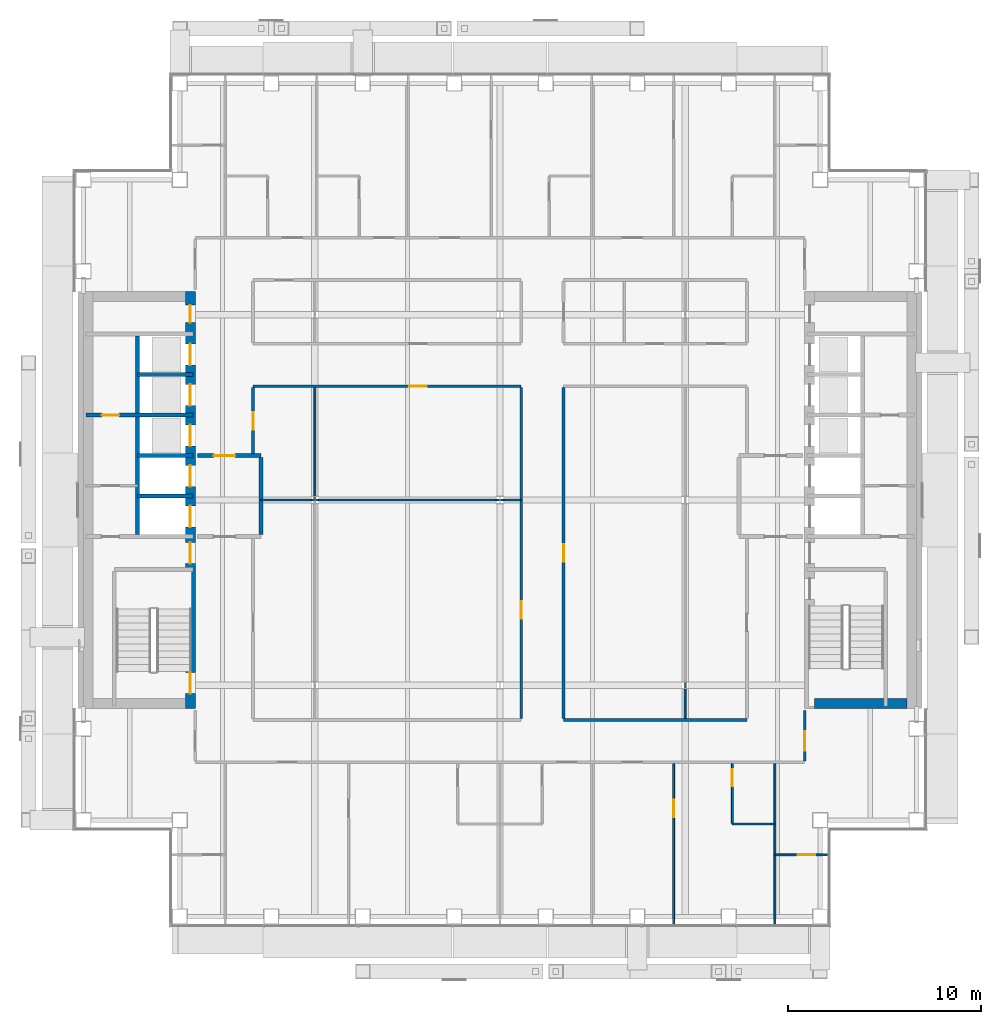
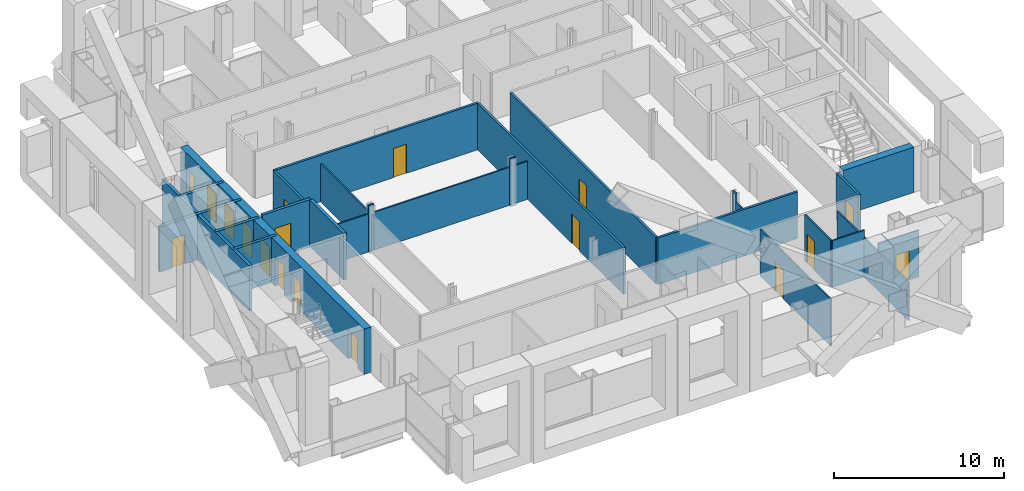
# One storey, part 13 of 22: 29 walls, 18 doors, 18 openings.
"""IFC4 building model written with IfcOpenShell, lengths in metres."""

import ifcopenshell
import ifcopenshell.guid

model = None  # the IFC model being written
_history = None  # IfcOwnerHistory: only IFC2X3 demands one
_inside = {}  # id of a spatial element -> (the spatial element, [elements in it])
_under = {}  # id of a project, library or spatial element -> (it, [spatial elements below it])
_declared = {}  # id of a project -> (the project, [libraries it declares])
_typed = {}  # id of a type object -> (the type object, [elements of that type])
_made_of = {}  # id of a material, layer set ... -> (it, [elements and type objects made of it])


def new_model(schema):
    """Start an empty IFC model of exactly this schema.

    Asked for "IFC4X3", IfcOpenShell would pick the latest addendum, in which some entities
    have other attributes; the version numbers below select the first issue.
    IFC2X3 requires an IfcOwnerHistory on every rooted entity: one is made here for all.
    """
    global model, _history
    if schema == "IFC4X3":
        model = ifcopenshell.file(schema_version=(4, 3, 0, 0))
    else:
        model = ifcopenshell.file(schema=schema)
    _inside.clear()
    _under.clear()
    _declared.clear()
    _typed.clear()
    _made_of.clear()
    _history = None
    if model.schema == "IFC2X3":
        org = make("IfcOrganization", Name="unknown")
        user = make(
            "IfcPersonAndOrganization",
            ThePerson=make("IfcPerson", FamilyName="unknown"),
            TheOrganization=org,
        )
        app = make(
            "IfcApplication",
            ApplicationDeveloper=org,
            Version="unknown",
            ApplicationFullName="unknown",
            ApplicationIdentifier="unknown",
        )
        _history = make(
            "IfcOwnerHistory",
            OwningUser=user,
            OwningApplication=app,
            ChangeAction="ADDED",
            CreationDate=0,
        )
    return model


def make(cls, **values):
    """One entity of the class cls with the attributes given. An attribute that is None is left unset."""
    return model.create_entity(
        cls, **{name: value for name, value in values.items() if value is not None}
    )


def rooted(cls, **values):
    """An entity with a GlobalId (a new one), such as an element, a storey or a relation."""
    return make(cls, GlobalId=ifcopenshell.guid.new(), OwnerHistory=_history, **values)


def si_unit(unit_type, name, prefix=None):
    """IfcSIUnit, for example si_unit("LENGTHUNIT", "METRE", prefix="MILLI")."""
    return make("IfcSIUnit", UnitType=unit_type, Prefix=prefix, Name=name)


def assignment(units):
    """IfcUnitAssignment: the units of a project."""
    return None if units is None else make("IfcUnitAssignment", Units=units)


def point(xyz):
    """IfcCartesianPoint."""
    return None if xyz is None else make("IfcCartesianPoint", Coordinates=xyz)


def direction(xyz):
    """IfcDirection."""
    return None if xyz is None else make("IfcDirection", DirectionRatios=xyz)


def frame(location, z_axis=None, x_axis=None):
    """IfcAxis2Placement3D, a coordinate frame: its origin and axes. An axis left out is left unset."""
    return make(
        "IfcAxis2Placement3D",
        Location=point(location),
        Axis=direction(z_axis),
        RefDirection=direction(x_axis),
    )


def frame_2d(location, x_axis=None):
    """IfcAxis2Placement2D, a coordinate frame in the plane: its origin and x axis."""
    return make(
        "IfcAxis2Placement2D", Location=point(location), RefDirection=direction(x_axis)
    )


def origin():
    """The frame at (0, 0, 0) with its axes left unset."""
    return frame((0.0, 0.0, 0.0))


def place(relative_to, where):
    """IfcLocalPlacement: puts the frame where relative to a parent placement (None: the world)."""
    return make(
        "IfcLocalPlacement", PlacementRelTo=relative_to, RelativePlacement=where
    )


def context(
    kind, dimensions, precision=None, world=None, true_north=None, identifier=None
):
    """IfcGeometricRepresentationContext, for example the 3D "Model" context."""
    return make(
        "IfcGeometricRepresentationContext",
        ContextIdentifier=identifier,
        ContextType=kind,
        CoordinateSpaceDimension=dimensions,
        Precision=precision,
        WorldCoordinateSystem=world,
        TrueNorth=true_north,
    )


def subcontext(parent, identifier, kind, view, scale=None):
    """IfcGeometricRepresentationSubContext, for example "Body" below "Model"."""
    return make(
        "IfcGeometricRepresentationSubContext",
        ContextIdentifier=identifier,
        ContextType=kind,
        ParentContext=parent,
        TargetScale=scale,
        TargetView=view,
    )


def project(units=None, contexts=None):
    """IfcProject with its units and contexts."""
    return rooted(
        "IfcProject",
        Name="project",
        RepresentationContexts=contexts,
        UnitsInContext=assignment(units),
    )


def spatial(cls, under=None, at=None, **own):
    """A site, building, storey or space (cls), placed at a placement, below another one or the project."""
    s = rooted(cls, ObjectPlacement=at, **own)
    if under is not None:
        _under.setdefault(under.id(), (under, []))[1].append(s)
    return s


def profile(cls, at=None, kind="AREA", **sizes):
    """A parametric profile (cls). Its sizes go by their IFC names, for example OverallWidth=200.0."""
    return make(cls, ProfileType=kind, Position=at, **sizes)


def rectangle(**sizes):
    """IfcRectangleProfileDef."""
    return profile("IfcRectangleProfileDef", **sizes)


def extrude(swept, where, along, depth):
    """IfcExtrudedAreaSolid: the profile swept, set in the frame where, extruded along a direction by depth."""
    return make(
        "IfcExtrudedAreaSolid",
        SweptArea=swept,
        Position=where,
        ExtrudedDirection=direction(along),
        Depth=depth,
    )


def shape(context_of_items, identifier, shape_type, items):
    """IfcShapeRepresentation: the items that make up one representation, for example the "Body"."""
    return make(
        "IfcShapeRepresentation",
        ContextOfItems=context_of_items,
        RepresentationIdentifier=identifier,
        RepresentationType=shape_type,
        Items=items,
    )


def material(Name=None, Category=None):
    """IfcMaterial."""
    return make("IfcMaterial", Name=Name, Category=Category)


def layer(
    of_material, thickness, ventilated=None, Name=None, Category=None, Priority=None
):
    """IfcMaterialLayer: one layer of a wall or slab, of a material (None: an air gap)."""
    return make(
        "IfcMaterialLayer",
        Material=of_material,
        LayerThickness=thickness,
        IsVentilated=ventilated,
        Name=Name,
        Category=Category,
        Priority=Priority,
    )


def layer_set(layers, Name=None):
    """IfcMaterialLayerSet."""
    return make("IfcMaterialLayerSet", MaterialLayers=layers, LayerSetName=Name)


def made_of(thing, what):
    """Note that an element or type object is made of a material, layer set ...; save() writes the relation."""
    if what is not None:
        _made_of.setdefault(what.id(), (what, []))[1].append(thing)
    return thing


def type_object(cls, material=None, **own):
    """A type object (cls), such as IfcWallType, which elements share."""
    return made_of(rooted(cls, **own), material)


def element(
    cls,
    number,
    at=None,
    inside=None,
    cuts=None,
    type_object=None,
    material=None,
    context=None,
    identifier="Body",
    shape_type=None,
    held_by="IfcProductDefinitionShape",
    body=None,
    shapes=None,
    **own,
):
    """One element of the class cls, such as IfcWall. Its Tag is "e" and its number.

    at: its placement. inside: the storey or other place that contains it. cuts: it is an
    opening in that element (IfcRelVoidsElement). A single representation is given by context,
    identifier, shape_type and body (its items); several are given by shapes. held_by: the class
    of the entity that holds the representations. save() writes the other relations.
    """
    e = rooted(cls, Tag="e%d" % number, ObjectPlacement=at, **own)
    if body is not None:
        shapes = [shape(context, identifier, shape_type, body)]
    if shapes is not None:
        e.Representation = make(held_by, Representations=shapes)
    if inside is not None:
        _inside.setdefault(inside.id(), (inside, []))[1].append(e)
    if cuts is not None:
        rooted(
            "IfcRelVoidsElement", RelatingBuildingElement=cuts, RelatedOpeningElement=e
        )
    if type_object is not None:
        _typed.setdefault(type_object.id(), (type_object, []))[1].append(e)
    return made_of(e, material)


def fill(opening, filler):
    """IfcRelFillsElement: the door or window that sits in an opening."""
    return rooted(
        "IfcRelFillsElement",
        RelatingOpeningElement=opening,
        RelatedBuildingElement=filler,
    )


def aggregate(whole, parts):
    """IfcRelAggregates: a whole, such as a stair, and the parts it consists of."""
    return rooted("IfcRelAggregates", RelatingObject=whole, RelatedObjects=parts)


def save(model, path):
    """Write the relations noted so far, then the file.

    IfcRelAggregates (storeys below a building ...), IfcRelContainedInSpatialStructure (elements
    in a storey), IfcRelDefinesByType, IfcRelAssociatesMaterial and IfcRelDeclares: one each for
    every whole, place, type object, material and project.
    """
    for whole, parts in _under.values():
        aggregate(whole, parts)
    for where, things in _inside.values():
        rooted(
            "IfcRelContainedInSpatialStructure",
            RelatedElements=things,
            RelatingStructure=where,
        )
    for kind, things in _typed.values():
        rooted("IfcRelDefinesByType", RelatedObjects=things, RelatingType=kind)
    for what, things in _made_of.values():
        rooted("IfcRelAssociatesMaterial", RelatedObjects=things, RelatingMaterial=what)
    for by, libraries in _declared.values():
        rooted("IfcRelDeclares", RelatingContext=by, RelatedDefinitions=libraries)
    model.write(path)


model = new_model("IFC4")

# Units and contexts
model_context = context("Model", 3, precision=1e-05, world=origin(), true_north=direction((0.0, 1.0)))
body_context = subcontext(model_context, "Body", "Model", "MODEL_VIEW")
ifc_project = project(units=[si_unit("LENGTHUNIT", "METRE"), si_unit("AREAUNIT", "SQUARE_METRE"), si_unit("VOLUMEUNIT", "CUBIC_METRE"), si_unit("PLANEANGLEUNIT", "RADIAN"), si_unit("MASSUNIT", "GRAM", prefix="KILO")], contexts=[model_context])

# Site, building, storey
site_placement = place(None, origin())
site = spatial("IfcSite", under=ifc_project, at=site_placement, CompositionType="ELEMENT")
building_placement = place(site_placement, origin())
building = spatial("IfcBuilding", under=site, at=building_placement, Name="Cobrizo Arcos Hotel Tower", CompositionType="ELEMENT")
storey_placement = place(building_placement, frame((0.0, 0.0, 169.0)))
storey = spatial("IfcBuildingStorey", under=building, at=storey_placement, Name="L43", CompositionType="ELEMENT", Elevation=169.0)

# Wall
ifc_material_1 = material(Name="Gypsum board partition")
ifc_layer_1 = layer(ifc_material_1, 0.14990234375)
ifc_layer_set_1 = layer_set([ifc_layer_1], Name="Corridor wall EI 60 150")
wall_type_1 = type_object("IfcWallType", Name="Corridor wall EI 60 150", PredefinedType="PARTITIONING", material=ifc_layer_set_1)
wall_1_placement = place(storey_placement, frame((3.300048828125, -11.39990234375, 0.0), z_axis=(0.0, 0.0, 1.0), x_axis=(1.0, 0.0, 0.0)))
element("IfcWall", 1, at=wall_1_placement, inside=storey, type_object=wall_type_1, Name="Partition 007", PredefinedType="PARTITIONING", context=body_context, shape_type="SweptSolid", body=[
    extrude(rectangle(XDim=9.5, YDim=0.14990234375, at=frame_2d((4.75, 0.0))), origin(), (0.0, 0.0, 1.0), 3.35009765625),
])

# Wall, opening, door
wall_2_placement = place(storey_placement, frame((-12.800048828125, 5.89990234375, 0.0), z_axis=(0.0, 0.0, 1.0), x_axis=(1.0, 0.0, 0.0)))
wall_2 = element("IfcWall", 2, at=wall_2_placement, inside=storey, type_object=wall_type_1, Name="Partition 029", PredefinedType="PARTITIONING", context=body_context, shape_type="SweptSolid", body=[
    extrude(rectangle(XDim=13.900146484375, YDim=0.14990234375, at=frame_2d((6.9501953125, 0.0))), origin(), (0.0, 0.0, 1.0), 3.35009765625),
])
opening_1_placement = place(wall_2_placement, frame((8.10009765625, 0.0, 0.0)))
opening_1 = element("IfcOpeningElement", 3, at=opening_1_placement, cuts=wall_2, Name="Opening RD-19", PredefinedType="OPENING", context=body_context, shape_type="SweptSolid", body=[
    extrude(rectangle(XDim=0.89990234375, YDim=2.10009765625, at=frame_2d((0.449951171875, 1.050048828125))), frame((0.0, 0.0869140625, 0.0), z_axis=(0.0, -1.0, 0.0), x_axis=(1.0, 0.0, 0.0)), (0.0, 0.0, 1.0), 0.173828125),
])
ifc_material_2 = material(Name="Timber door leaf", Category="wood")
door_type_1 = type_object("IfcDoorType", Name="Room door FD30 900x2100", OperationType="SINGLE_SWING_LEFT", PredefinedType="DOOR", material=ifc_material_2)
door_1_placement = place(opening_1_placement, origin())
door_1 = element("IfcDoor", 4, at=door_1_placement, inside=storey, type_object=door_type_1, Name="Door RD-19", OperationType="SINGLE_SWING_LEFT", OverallHeight=2.10009765625, OverallWidth=0.89990234375, PredefinedType="DOOR", context=body_context, shape_type="SweptSolid", body=[
    extrude(rectangle(XDim=0.89990234375, YDim=2.10009765625, at=frame_2d((0.449951171875, 1.050048828125))), frame((0.0, 0.02490234375, 0.0), z_axis=(0.0, -1.0, 0.0), x_axis=(1.0, 0.0, 0.0)), (0.0, 0.0, 1.0), 0.050048828125),
])
fill(opening_1, door_1)

wall_3_placement = place(storey_placement, frame((-12.800048828125, 2.39990234375, 0.0), z_axis=(0.0, 0.0, 1.0), x_axis=(0.0, 1.0, 0.0)))
wall_3 = element("IfcWall", 5, at=wall_3_placement, inside=storey, type_object=wall_type_1, Name="Partition 055", PredefinedType="PARTITIONING", context=body_context, shape_type="SweptSolid", body=[
    extrude(rectangle(XDim=3.425048828125, YDim=0.14990234375, at=frame_2d((1.71240234375, 0.0))), origin(), (0.0, 0.0, 1.0), 3.35009765625),
])
opening_2_placement = place(wall_3_placement, frame((1.25, 0.0, 0.0)))
opening_2 = element("IfcOpeningElement", 6, at=opening_2_placement, cuts=wall_3, Name="Opening RD-15", PredefinedType="OPENING", context=body_context, shape_type="SweptSolid", body=[
    extrude(rectangle(XDim=0.89990234375, YDim=2.10009765625, at=frame_2d((0.449951171875, 1.050048828125))), frame((0.0, 0.0869140625, 0.0), z_axis=(0.0, -1.0, 0.0), x_axis=(1.0, 0.0, 0.0)), (0.0, 0.0, 1.0), 0.173828125),
])
door_2_placement = place(opening_2_placement, origin())
door_2 = element("IfcDoor", 7, at=door_2_placement, inside=storey, type_object=door_type_1, Name="Door RD-15", OperationType="SINGLE_SWING_RIGHT", OverallHeight=2.10009765625, OverallWidth=0.89990234375, PredefinedType="DOOR", context=body_context, shape_type="SweptSolid", body=[
    extrude(rectangle(XDim=0.89990234375, YDim=2.10009765625, at=frame_2d((0.449951171875, 1.050048828125))), frame((0.0, 0.02490234375, 0.0), z_axis=(0.0, -1.0, 0.0), x_axis=(1.0, 0.0, 0.0)), (0.0, 0.0, 1.0), 0.050048828125),
])
fill(opening_2, door_2)

wall_4_placement = place(storey_placement, frame((1.10009765625, -11.324951171875, 0.0), z_axis=(0.0, 0.0, 1.0), x_axis=(0.0, 1.0, 0.0)))
wall_4 = element("IfcWall", 8, at=wall_4_placement, inside=storey, type_object=wall_type_1, Name="Partition 075", PredefinedType="PARTITIONING", context=body_context, shape_type="SweptSolid", body=[
    extrude(rectangle(XDim=17.14990234375, YDim=0.14990234375, at=frame_2d((8.574951171875, 0.0))), origin(), (0.0, 0.0, 1.0), 3.35009765625),
])
opening_3_placement = place(wall_4_placement, frame((5.175048828125, 0.0, 0.0)))
opening_3 = element("IfcOpeningElement", 9, at=opening_3_placement, cuts=wall_4, Name="Opening RD-21", PredefinedType="OPENING", context=body_context, shape_type="SweptSolid", body=[
    extrude(rectangle(XDim=0.89990234375, YDim=2.10009765625, at=frame_2d((0.449951171875, 1.050048828125))), frame((0.0, 0.0869140625, 0.0), z_axis=(0.0, -1.0, 0.0), x_axis=(1.0, 0.0, 0.0)), (0.0, 0.0, 1.0), 0.173828125),
])
door_3_placement = place(opening_3_placement, origin())
door_3 = element("IfcDoor", 10, at=door_3_placement, inside=storey, type_object=door_type_1, Name="Door RD-21", OperationType="SINGLE_SWING_RIGHT", OverallHeight=2.10009765625, OverallWidth=0.89990234375, PredefinedType="DOOR", context=body_context, shape_type="SweptSolid", body=[
    extrude(rectangle(XDim=0.89990234375, YDim=2.10009765625, at=frame_2d((0.449951171875, 1.050048828125))), frame((0.0, 0.02490234375, 0.0), z_axis=(0.0, -1.0, 0.0), x_axis=(1.0, 0.0, 0.0)), (0.0, 0.0, 1.0), 0.050048828125),
])
fill(opening_3, door_3)

wall_5_placement = place(storey_placement, frame((3.300048828125, -11.324951171875, 0.0), z_axis=(0.0, 0.0, 1.0), x_axis=(0.0, 1.0, 0.0)))
wall_5 = element("IfcWall", 11, at=wall_5_placement, inside=storey, type_object=wall_type_1, Name="Partition 079", PredefinedType="PARTITIONING", context=body_context, shape_type="SweptSolid", body=[
    extrude(rectangle(XDim=17.14990234375, YDim=0.14990234375, at=frame_2d((8.574951171875, 0.0))), origin(), (0.0, 0.0, 1.0), 3.35009765625),
])
opening_4_placement = place(wall_5_placement, frame((8.125, 0.0, 0.0)))
opening_4 = element("IfcOpeningElement", 12, at=opening_4_placement, cuts=wall_5, Name="Opening RD-20", PredefinedType="OPENING", context=body_context, shape_type="SweptSolid", body=[
    extrude(rectangle(XDim=0.89990234375, YDim=2.10009765625, at=frame_2d((0.449951171875, 1.050048828125))), frame((0.0, 0.0869140625, 0.0), z_axis=(0.0, -1.0, 0.0), x_axis=(1.0, 0.0, 0.0)), (0.0, 0.0, 1.0), 0.173828125),
])
door_4_placement = place(opening_4_placement, origin())
door_4 = element("IfcDoor", 13, at=door_4_placement, inside=storey, type_object=door_type_1, Name="Door RD-20", OperationType="SINGLE_SWING_RIGHT", OverallHeight=2.10009765625, OverallWidth=0.89990234375, PredefinedType="DOOR", context=body_context, shape_type="SweptSolid", body=[
    extrude(rectangle(XDim=0.89990234375, YDim=2.10009765625, at=frame_2d((0.449951171875, 1.050048828125))), frame((0.0, 0.02490234375, 0.0), z_axis=(0.0, -1.0, 0.0), x_axis=(1.0, 0.0, 0.0)), (0.0, 0.0, 1.0), 0.050048828125),
])
fill(opening_4, door_4)

wall_6_placement = place(storey_placement, frame((15.800048828125, -13.52490234375, 0.0), z_axis=(0.0, 0.0, 1.0), x_axis=(0.0, 1.0, 0.0)))
wall_6 = element("IfcWall", 14, at=wall_6_placement, inside=storey, type_object=wall_type_1, Name="Partition 103", PredefinedType="PARTITIONING", context=body_context, shape_type="SweptSolid", body=[
    extrude(rectangle(XDim=2.60498046875, YDim=0.14990234375, at=frame_2d((1.302490234375, 0.0))), origin(), (0.0, 0.0, 1.0), 3.35009765625),
])
opening_5_placement = place(wall_6_placement, frame((0.52490234375, 0.0, 0.0)))
opening_5 = element("IfcOpeningElement", 15, at=opening_5_placement, cuts=wall_6, Name="Opening GD-10", PredefinedType="OPENING", context=body_context, shape_type="SweptSolid", body=[
    extrude(rectangle(XDim=1.0, YDim=2.10009765625, at=frame_2d((0.5, 1.050048828125))), frame((0.0, 0.0869140625, 0.0), z_axis=(0.0, -1.0, 0.0), x_axis=(1.0, 0.0, 0.0)), (0.0, 0.0, 1.0), 0.173828125),
])
door_type_2 = type_object("IfcDoorType", Name="Guest room door FD30S 1000x2100", OperationType="SINGLE_SWING_LEFT", PredefinedType="DOOR", material=ifc_material_2)
door_5_placement = place(opening_5_placement, origin())
door_5 = element("IfcDoor", 16, at=door_5_placement, inside=storey, type_object=door_type_2, Name="Door GD-10", OperationType="SINGLE_SWING_LEFT", OverallHeight=2.10009765625, OverallWidth=1.0, PredefinedType="DOOR", context=body_context, shape_type="SweptSolid", body=[
    extrude(rectangle(XDim=1.0, YDim=2.10009765625, at=frame_2d((0.5, 1.050048828125))), frame((0.0, 0.02490234375, 0.0), z_axis=(0.0, -1.0, 0.0), x_axis=(1.0, 0.0, 0.0)), (0.0, 0.0, 1.0), 0.050048828125),
])
fill(opening_5, door_5)

ifc_layer_2 = layer(ifc_material_1, 0.10009765625)
ifc_layer_set_2 = layer_set([ifc_layer_2], Name="Partition EI 30 100")
wall_type_2 = type_object("IfcWallType", Name="Partition EI 30 100", PredefinedType="PARTITIONING", material=ifc_layer_set_2)
wall_7_placement = place(storey_placement, frame((14.25, -18.39990234375, 0.0), z_axis=(0.0, 0.0, 1.0), x_axis=(1.0, 0.0, 0.0)))
wall_7 = element("IfcWall", 17, at=wall_7_placement, inside=storey, type_object=wall_type_2, Name="Partition 002", PredefinedType="PARTITIONING", context=body_context, shape_type="SweptSolid", body=[
    extrude(rectangle(XDim=2.780029296875, YDim=0.10009765625, at=frame_2d((1.39013671875, 0.0))), origin(), (0.0, 0.0, 1.0), 3.35009765625),
])
opening_6_placement = place(wall_7_placement, frame((1.18896484375, 0.0, 0.0)))
opening_6 = element("IfcOpeningElement", 18, at=opening_6_placement, cuts=wall_7, Name="Opening ED-10", PredefinedType="OPENING", context=body_context, shape_type="SweptSolid", body=[
    extrude(rectangle(XDim=0.89990234375, YDim=2.10009765625, at=frame_2d((0.449951171875, 1.050048828125))), frame((0.0, 0.06201171875, 0.0), z_axis=(0.0, -1.0, 0.0), x_axis=(1.0, 0.0, 0.0)), (0.0, 0.0, 1.0), 0.1240234375),
])
door_type_3 = type_object("IfcDoorType", Name="En-suite door 900x2100", OperationType="SINGLE_SWING_LEFT", PredefinedType="DOOR", material=ifc_material_2)
door_6_placement = place(opening_6_placement, origin())
door_6 = element("IfcDoor", 19, at=door_6_placement, inside=storey, type_object=door_type_3, Name="Door ED-10", OperationType="SINGLE_SWING_RIGHT", OverallHeight=2.10009765625, OverallWidth=0.89990234375, PredefinedType="DOOR", context=body_context, shape_type="SweptSolid", body=[
    extrude(rectangle(XDim=0.89990234375, YDim=2.10009765625, at=frame_2d((0.449951171875, 1.050048828125))), frame((0.0, 0.02490234375, 0.0), z_axis=(0.0, -1.0, 0.0), x_axis=(1.0, 0.0, 0.0)), (0.0, 0.0, 1.0), 0.050048828125),
])
fill(opening_6, door_6)

# Walls
wall_8_placement = place(storey_placement, frame((12.050048828125, -16.800048828125, 0.0), z_axis=(0.0, 0.0, 1.0), x_axis=(1.0, 0.0, 0.0)))
element("IfcWall", 20, at=wall_8_placement, inside=storey, type_object=wall_type_2, Name="Partition 004", PredefinedType="PARTITIONING", context=body_context, shape_type="SweptSolid", body=[
    extrude(rectangle(XDim=2.199951171875, YDim=0.10009765625, at=frame_2d((1.10009765625, 0.0))), origin(), (0.0, 0.0, 1.0), 3.35009765625),
])
wall_9_placement = place(storey_placement, frame((-12.39990234375, 0.0, 0.0), z_axis=(0.0, 0.0, 1.0), x_axis=(1.0, 0.0, 0.0)))
element("IfcWall", 21, at=wall_9_placement, inside=storey, type_object=wall_type_2, Name="Partition 014", PredefinedType="PARTITIONING", context=body_context, shape_type="SweptSolid", body=[
    extrude(rectangle(XDim=2.61279296875, YDim=0.10009765625, at=frame_2d((1.306396484375, 0.0))), origin(), (0.0, 0.0, 1.0), 2.72802734375),
])
wall_10_placement = place(storey_placement, frame((-9.787109375, 0.0, 0.0), z_axis=(0.0, 0.0, 1.0), x_axis=(1.0, 0.0, 0.0)))
element("IfcWall", 22, at=wall_10_placement, inside=storey, type_object=wall_type_2, Name="Partition 015", PredefinedType="PARTITIONING", context=body_context, shape_type="SweptSolid", body=[
    extrude(rectangle(XDim=0.3740234375, YDim=0.10009765625, at=frame_2d((0.18701171875, 0.0))), origin(), (0.0, 0.0, 1.0), 3.35009765625),
])
wall_11_placement = place(storey_placement, frame((-9.4130859375, 0.0, 0.0), z_axis=(0.0, 0.0, 1.0), x_axis=(1.0, 0.0, 0.0)))
element("IfcWall", 23, at=wall_11_placement, inside=storey, type_object=wall_type_2, Name="Partition 016", PredefinedType="PARTITIONING", context=body_context, shape_type="SweptSolid", body=[
    extrude(rectangle(XDim=9.22607421875, YDim=0.10009765625, at=frame_2d((4.613037109375, 0.0))), origin(), (0.0, 0.0, 1.0), 2.72802734375),
])
wall_12_placement = place(storey_placement, frame((-0.18701171875, 0.0, 0.0), z_axis=(0.0, 0.0, 1.0), x_axis=(1.0, 0.0, 0.0)))
element("IfcWall", 24, at=wall_12_placement, inside=storey, type_object=wall_type_2, Name="Partition 017", PredefinedType="PARTITIONING", context=body_context, shape_type="SweptSolid", body=[
    extrude(rectangle(XDim=0.3740234375, YDim=0.10009765625, at=frame_2d((0.18701171875, 0.0))), origin(), (0.0, 0.0, 1.0), 3.35009765625),
])
wall_13_placement = place(storey_placement, frame((0.18701171875, 0.0, 0.0), z_axis=(0.0, 0.0, 1.0), x_axis=(1.0, 0.0, 0.0)))
element("IfcWall", 25, at=wall_13_placement, inside=storey, type_object=wall_type_2, Name="Partition 018", PredefinedType="PARTITIONING", context=body_context, shape_type="SweptSolid", body=[
    extrude(rectangle(XDim=0.9130859375, YDim=0.10009765625, at=frame_2d((0.45654296875, 0.0))), origin(), (0.0, 0.0, 1.0), 2.72802734375),
])
wall_14_placement = place(storey_placement, frame((-9.60009765625, 0.050048828125, 0.0), z_axis=(0.0, 0.0, 1.0), x_axis=(0.0, 1.0, 0.0)))
element("IfcWall", 26, at=wall_14_placement, inside=storey, type_object=wall_type_2, Name="Partition 063", PredefinedType="PARTITIONING", context=body_context, shape_type="SweptSolid", body=[
    extrude(rectangle(XDim=5.77490234375, YDim=0.10009765625, at=frame_2d((2.887451171875, 0.0))), origin(), (0.0, 0.0, 1.0), 2.72802734375),
])

# Wall, opening, door
wall_15_placement = place(storey_placement, frame((9.0, -22.030029296875, 0.0), z_axis=(0.0, 0.0, 1.0), x_axis=(0.0, 1.0, 0.0)))
wall_15 = element("IfcWall", 27, at=wall_15_placement, inside=storey, type_object=wall_type_2, Name="Partition 084", PredefinedType="PARTITIONING", context=body_context, shape_type="SweptSolid", body=[
    extrude(rectangle(XDim=8.35498046875, YDim=0.10009765625, at=frame_2d((4.177490234375, 0.0))), origin(), (0.0, 0.0, 1.0), 3.35009765625),
])
opening_7_placement = place(wall_15_placement, frame((5.580078125, 0.0, 0.0)))
opening_7 = element("IfcOpeningElement", 28, at=opening_7_placement, cuts=wall_15, Name="Opening RD-12", PredefinedType="OPENING", context=body_context, shape_type="SweptSolid", body=[
    extrude(rectangle(XDim=0.89990234375, YDim=2.10009765625, at=frame_2d((0.449951171875, 1.050048828125))), frame((0.0, 0.06201171875, 0.0), z_axis=(0.0, -1.0, 0.0), x_axis=(1.0, 0.0, 0.0)), (0.0, 0.0, 1.0), 0.1240234375),
])
door_7_placement = place(opening_7_placement, origin())
door_7 = element("IfcDoor", 29, at=door_7_placement, inside=storey, type_object=door_type_1, Name="Door RD-12", OperationType="SINGLE_SWING_LEFT", OverallHeight=2.10009765625, OverallWidth=0.89990234375, PredefinedType="DOOR", context=body_context, shape_type="SweptSolid", body=[
    extrude(rectangle(XDim=0.89990234375, YDim=2.10009765625, at=frame_2d((0.449951171875, 1.050048828125))), frame((0.0, 0.02490234375, 0.0), z_axis=(0.0, -1.0, 0.0), x_axis=(1.0, 0.0, 0.0)), (0.0, 0.0, 1.0), 0.050048828125),
])
fill(opening_7, door_7)

# Walls
wall_16_placement = place(storey_placement, frame((9.60009765625, -11.324951171875, 0.0), z_axis=(0.0, 0.0, 1.0), x_axis=(0.0, 1.0, 0.0)))
element("IfcWall", 30, at=wall_16_placement, inside=storey, type_object=wall_type_2, Name="Partition 086", PredefinedType="PARTITIONING", context=body_context, shape_type="SweptSolid", body=[
    extrude(rectangle(XDim=1.537841796875, YDim=0.10009765625, at=frame_2d((0.76904296875, 0.0))), origin(), (0.0, 0.0, 1.0), 2.72802734375),
])
wall_17_placement = place(storey_placement, frame((9.60009765625, -9.787109375, 0.0), z_axis=(0.0, 0.0, 1.0), x_axis=(0.0, 1.0, 0.0)))
element("IfcWall", 31, at=wall_17_placement, inside=storey, type_object=wall_type_2, Name="Partition 087", PredefinedType="PARTITIONING", context=body_context, shape_type="SweptSolid", body=[
    extrude(rectangle(XDim=0.3740234375, YDim=0.10009765625, at=frame_2d((0.18701171875, 0.0))), origin(), (0.0, 0.0, 1.0), 3.35009765625),
])

# Wall, opening, door
wall_18_placement = place(storey_placement, frame((12.050048828125, -16.75, 0.0), z_axis=(0.0, 0.0, 1.0), x_axis=(0.0, 1.0, 0.0)))
wall_18 = element("IfcWall", 32, at=wall_18_placement, inside=storey, type_object=wall_type_2, Name="Partition 094", PredefinedType="PARTITIONING", context=body_context, shape_type="SweptSolid", body=[
    extrude(rectangle(XDim=3.074951171875, YDim=0.10009765625, at=frame_2d((1.53759765625, 0.0))), origin(), (0.0, 0.0, 1.0), 3.35009765625),
])
opening_8_placement = place(wall_18_placement, frame((1.89990234375, 0.0, 0.0)))
opening_8 = element("IfcOpeningElement", 33, at=opening_8_placement, cuts=wall_18, Name="Opening ED-07", PredefinedType="OPENING", context=body_context, shape_type="SweptSolid", body=[
    extrude(rectangle(XDim=0.89990234375, YDim=2.10009765625, at=frame_2d((0.449951171875, 1.050048828125))), frame((0.0, 0.06201171875, 0.0), z_axis=(0.0, -1.0, 0.0), x_axis=(1.0, 0.0, 0.0)), (0.0, 0.0, 1.0), 0.1240234375),
])
door_8_placement = place(opening_8_placement, origin())
door_8 = element("IfcDoor", 34, at=door_8_placement, inside=storey, type_object=door_type_3, Name="Door ED-07", OperationType="SINGLE_SWING_LEFT", OverallHeight=2.10009765625, OverallWidth=0.89990234375, PredefinedType="DOOR", context=body_context, shape_type="SweptSolid", body=[
    extrude(rectangle(XDim=0.89990234375, YDim=2.10009765625, at=frame_2d((0.449951171875, 1.050048828125))), frame((0.0, 0.02490234375, 0.0), z_axis=(0.0, -1.0, 0.0), x_axis=(1.0, 0.0, 0.0)), (0.0, 0.0, 1.0), 0.050048828125),
])
fill(opening_8, door_8)

# Walls
wall_19_placement = place(storey_placement, frame((14.25, -22.030029296875, 0.0), z_axis=(0.0, 0.0, 1.0), x_axis=(0.0, 1.0, 0.0)))
element("IfcWall", 35, at=wall_19_placement, inside=storey, type_object=wall_type_2, Name="Partition 101", PredefinedType="PARTITIONING", context=body_context, shape_type="SweptSolid", body=[
    extrude(rectangle(XDim=8.35498046875, YDim=0.10009765625, at=frame_2d((4.177490234375, 0.0))), origin(), (0.0, 0.0, 1.0), 2.81689453125),
])
ifc_material_3 = material(Name="Concrete f'c 50 MPa", Category="concrete")
ifc_layer_3 = layer(ifc_material_3, 0.5)
ifc_layer_set_3 = layer_set([ifc_layer_3], Name="RC core wall 500 f'c 50")
wall_type_3 = type_object("IfcWallType", Name="RC core wall 500 f'c 50", PredefinedType="SHEAR", material=ifc_layer_set_3)
wall_20_placement = place(storey_placement, frame((16.300048828125, -10.550048828125, 0.0), z_axis=(0.0, 0.0, 1.0), x_axis=(1.0, 0.0, 0.0)))
element("IfcWall", 36, at=wall_20_placement, inside=storey, type_object=wall_type_3, Name="Core wall CW3, east core, south end, L43", PredefinedType="SHEAR", context=body_context, shape_type="SweptSolid", body=[
    extrude(rectangle(XDim=4.800048828125, YDim=0.5, at=frame_2d((2.39990234375, 0.0))), origin(), (0.0, 0.0, 1.0), 3.25),
])

# Wall, openings, doors
wall_21_placement = place(storey_placement, frame((-16.050048828125, -10.800048828125, 0.0), z_axis=(0.0, 0.0, 1.0), x_axis=(0.0, 1.0, 0.0)))
wall_21 = element("IfcWall", 37, at=wall_21_placement, inside=storey, type_object=wall_type_3, Name="Core wall CW3, west core, inner face, L43", PredefinedType="SHEAR", context=body_context, shape_type="SweptSolid", body=[
    extrude(rectangle(XDim=21.60009765625, YDim=0.5, at=frame_2d((10.800048828125, 0.0))), origin(), (0.0, 0.0, 1.0), 3.25),
])
opening_9_placement = place(wall_21_placement, frame((9.39990234375, 0.0, 0.0)))
opening_9 = element("IfcOpeningElement", 38, at=opening_9_placement, cuts=wall_21, Name="Opening LD-01", PredefinedType="OPENING", context=body_context, shape_type="SweptSolid", body=[
    extrude(rectangle(XDim=1.10009765625, YDim=2.10009765625, at=frame_2d((0.550048828125, 1.050048828125))), frame((0.0, 0.261962890625, 0.0), z_axis=(0.0, -1.0, 0.0), x_axis=(1.0, 0.0, 0.0)), (0.0, 0.0, 1.0), 0.52392578125),
])
opening_10_placement = place(wall_21_placement, frame((11.5, 0.0, 0.0)))
opening_10 = element("IfcOpeningElement", 39, at=opening_10_placement, cuts=wall_21, Name="Opening LD-02", PredefinedType="OPENING", context=body_context, shape_type="SweptSolid", body=[
    extrude(rectangle(XDim=1.10009765625, YDim=2.10009765625, at=frame_2d((0.550048828125, 1.050048828125))), frame((0.0, 0.261962890625, 0.0), z_axis=(0.0, -1.0, 0.0), x_axis=(1.0, 0.0, 0.0)), (0.0, 0.0, 1.0), 0.52392578125),
])
opening_11_placement = place(wall_21_placement, frame((13.60009765625, 0.0, 0.0)))
opening_11 = element("IfcOpeningElement", 40, at=opening_11_placement, cuts=wall_21, Name="Opening LD-03", PredefinedType="OPENING", context=body_context, shape_type="SweptSolid", body=[
    extrude(rectangle(XDim=1.10009765625, YDim=2.10009765625, at=frame_2d((0.550048828125, 1.050048828125))), frame((0.0, 0.261962890625, 0.0), z_axis=(0.0, -1.0, 0.0), x_axis=(1.0, 0.0, 0.0)), (0.0, 0.0, 1.0), 0.52392578125),
])
opening_12_placement = place(wall_21_placement, frame((15.699951171875, 0.0, 0.0)))
opening_12 = element("IfcOpeningElement", 41, at=opening_12_placement, cuts=wall_21, Name="Opening LD-04", PredefinedType="OPENING", context=body_context, shape_type="SweptSolid", body=[
    extrude(rectangle(XDim=1.10009765625, YDim=2.10009765625, at=frame_2d((0.550048828125, 1.050048828125))), frame((0.0, 0.261962890625, 0.0), z_axis=(0.0, -1.0, 0.0), x_axis=(1.0, 0.0, 0.0)), (0.0, 0.0, 1.0), 0.52392578125),
])
opening_13_placement = place(wall_21_placement, frame((17.800048828125, 0.0, 0.0)))
opening_13 = element("IfcOpeningElement", 42, at=opening_13_placement, cuts=wall_21, Name="Opening LD-05", PredefinedType="OPENING", context=body_context, shape_type="SweptSolid", body=[
    extrude(rectangle(XDim=1.10009765625, YDim=2.10009765625, at=frame_2d((0.550048828125, 1.050048828125))), frame((0.0, 0.261962890625, 0.0), z_axis=(0.0, -1.0, 0.0), x_axis=(1.0, 0.0, 0.0)), (0.0, 0.0, 1.0), 0.52392578125),
])
opening_14_placement = place(wall_21_placement, frame((0.758056640625, 0.0, 0.0)))
opening_14 = element("IfcOpeningElement", 43, at=opening_14_placement, cuts=wall_21, Name="Opening SD-01", PredefinedType="OPENING", context=body_context, shape_type="SweptSolid", body=[
    extrude(rectangle(XDim=1.10009765625, YDim=2.10009765625, at=frame_2d((0.550048828125, 1.050048828125))), frame((0.0, 0.261962890625, 0.0), z_axis=(0.0, -1.0, 0.0), x_axis=(1.0, 0.0, 0.0)), (0.0, 0.0, 1.0), 0.52392578125),
])
opening_15_placement = place(wall_21_placement, frame((7.5, 0.0, 0.0)))
opening_15 = element("IfcOpeningElement", 44, at=opening_15_placement, cuts=wall_21, Name="Opening FD-01", PredefinedType="OPENING", context=body_context, shape_type="SweptSolid", body=[
    extrude(rectangle(XDim=1.10009765625, YDim=2.10009765625, at=frame_2d((0.550048828125, 1.050048828125))), frame((0.0, 0.261962890625, 0.0), z_axis=(0.0, -1.0, 0.0), x_axis=(1.0, 0.0, 0.0)), (0.0, 0.0, 1.0), 0.52392578125),
])
opening_16_placement = place(wall_21_placement, frame((20.0, 0.0, 0.0)))
opening_16 = element("IfcOpeningElement", 45, at=opening_16_placement, cuts=wall_21, Name="Opening RD-01", PredefinedType="OPENING", context=body_context, shape_type="SweptSolid", body=[
    extrude(rectangle(XDim=0.89990234375, YDim=2.10009765625, at=frame_2d((0.449951171875, 1.050048828125))), frame((0.0, 0.261962890625, 0.0), z_axis=(0.0, -1.0, 0.0), x_axis=(1.0, 0.0, 0.0)), (0.0, 0.0, 1.0), 0.52392578125),
])
ifc_material_4 = material(Name="Steel door leaf", Category="steel")
door_type_4 = type_object("IfcDoorType", Name="Fire door FD60 1100x2100", OperationType="SINGLE_SWING_LEFT", PredefinedType="DOOR", material=ifc_material_4)
door_9_placement = place(opening_15_placement, origin())
door_9 = element("IfcDoor", 46, at=door_9_placement, inside=storey, type_object=door_type_4, Name="Door FD-01", OperationType="SINGLE_SWING_RIGHT", OverallHeight=2.10009765625, OverallWidth=1.10009765625, PredefinedType="DOOR", context=body_context, shape_type="SweptSolid", body=[
    extrude(rectangle(XDim=1.10009765625, YDim=2.10009765625, at=frame_2d((0.550048828125, 1.050048828125))), frame((0.0, 0.02490234375, 0.0), z_axis=(0.0, -1.0, 0.0), x_axis=(1.0, 0.0, 0.0)), (0.0, 0.0, 1.0), 0.050048828125),
])
fill(opening_15, door_9)
door_type_5 = type_object("IfcDoorType", Name="Lift landing door 1100x2100", OperationType="SLIDING_TO_LEFT", PredefinedType="DOOR", material=ifc_material_4)
door_10_placement = place(opening_9_placement, origin())
door_10 = element("IfcDoor", 47, at=door_10_placement, inside=storey, type_object=door_type_5, Name="Lift landing door LD-01", OperationType="SLIDING_TO_LEFT", OverallHeight=2.10009765625, OverallWidth=1.10009765625, PredefinedType="DOOR", context=body_context, shape_type="SweptSolid", body=[
    extrude(rectangle(XDim=1.10009765625, YDim=2.10009765625, at=frame_2d((0.550048828125, 1.050048828125))), frame((0.0, 0.02490234375, 0.0), z_axis=(0.0, -1.0, 0.0), x_axis=(1.0, 0.0, 0.0)), (0.0, 0.0, 1.0), 0.050048828125),
])
fill(opening_9, door_10)
door_11_placement = place(opening_10_placement, origin())
door_11 = element("IfcDoor", 48, at=door_11_placement, inside=storey, type_object=door_type_5, Name="Lift landing door LD-02", OperationType="SLIDING_TO_LEFT", OverallHeight=2.10009765625, OverallWidth=1.10009765625, PredefinedType="DOOR", context=body_context, shape_type="SweptSolid", body=[
    extrude(rectangle(XDim=1.10009765625, YDim=2.10009765625, at=frame_2d((0.550048828125, 1.050048828125))), frame((0.0, 0.02490234375, 0.0), z_axis=(0.0, -1.0, 0.0), x_axis=(1.0, 0.0, 0.0)), (0.0, 0.0, 1.0), 0.050048828125),
])
fill(opening_10, door_11)
door_12_placement = place(opening_11_placement, origin())
door_12 = element("IfcDoor", 49, at=door_12_placement, inside=storey, type_object=door_type_5, Name="Lift landing door LD-03", OperationType="SLIDING_TO_LEFT", OverallHeight=2.10009765625, OverallWidth=1.10009765625, PredefinedType="DOOR", context=body_context, shape_type="SweptSolid", body=[
    extrude(rectangle(XDim=1.10009765625, YDim=2.10009765625, at=frame_2d((0.550048828125, 1.050048828125))), frame((0.0, 0.02490234375, 0.0), z_axis=(0.0, -1.0, 0.0), x_axis=(1.0, 0.0, 0.0)), (0.0, 0.0, 1.0), 0.050048828125),
])
fill(opening_11, door_12)
door_13_placement = place(opening_12_placement, origin())
door_13 = element("IfcDoor", 50, at=door_13_placement, inside=storey, type_object=door_type_5, Name="Lift landing door LD-04", OperationType="SLIDING_TO_LEFT", OverallHeight=2.10009765625, OverallWidth=1.10009765625, PredefinedType="DOOR", context=body_context, shape_type="SweptSolid", body=[
    extrude(rectangle(XDim=1.10009765625, YDim=2.10009765625, at=frame_2d((0.550048828125, 1.050048828125))), frame((0.0, 0.02490234375, 0.0), z_axis=(0.0, -1.0, 0.0), x_axis=(1.0, 0.0, 0.0)), (0.0, 0.0, 1.0), 0.050048828125),
])
fill(opening_12, door_13)
door_14_placement = place(opening_13_placement, origin())
door_14 = element("IfcDoor", 51, at=door_14_placement, inside=storey, type_object=door_type_5, Name="Lift landing door LD-05", OperationType="SLIDING_TO_LEFT", OverallHeight=2.10009765625, OverallWidth=1.10009765625, PredefinedType="DOOR", context=body_context, shape_type="SweptSolid", body=[
    extrude(rectangle(XDim=1.10009765625, YDim=2.10009765625, at=frame_2d((0.550048828125, 1.050048828125))), frame((0.0, 0.02490234375, 0.0), z_axis=(0.0, -1.0, 0.0), x_axis=(1.0, 0.0, 0.0)), (0.0, 0.0, 1.0), 0.050048828125),
])
fill(opening_13, door_14)
door_15_placement = place(opening_16_placement, origin())
door_15 = element("IfcDoor", 52, at=door_15_placement, inside=storey, type_object=door_type_1, Name="Door RD-01", OperationType="SINGLE_SWING_RIGHT", OverallHeight=2.10009765625, OverallWidth=0.89990234375, PredefinedType="DOOR", context=body_context, shape_type="SweptSolid", body=[
    extrude(rectangle(XDim=0.89990234375, YDim=2.10009765625, at=frame_2d((0.449951171875, 1.050048828125))), frame((0.0, 0.02490234375, 0.0), z_axis=(0.0, -1.0, 0.0), x_axis=(1.0, 0.0, 0.0)), (0.0, 0.0, 1.0), 0.050048828125),
])
fill(opening_16, door_15)
door_type_6 = type_object("IfcDoorType", Name="Stair door FD60S 1100x2100", OperationType="SINGLE_SWING_LEFT", PredefinedType="DOOR", material=ifc_material_4)
door_16_placement = place(opening_14_placement, origin())
door_16 = element("IfcDoor", 53, at=door_16_placement, inside=storey, type_object=door_type_6, Name="Door SD-01", OperationType="SINGLE_SWING_RIGHT", OverallHeight=2.10009765625, OverallWidth=1.10009765625, PredefinedType="DOOR", context=body_context, shape_type="SweptSolid", body=[
    extrude(rectangle(XDim=1.10009765625, YDim=2.10009765625, at=frame_2d((0.550048828125, 1.050048828125))), frame((0.0, 0.02490234375, 0.0), z_axis=(0.0, -1.0, 0.0), x_axis=(1.0, 0.0, 0.0)), (0.0, 0.0, 1.0), 0.050048828125),
])
fill(opening_14, door_16)

# Walls
ifc_layer_4 = layer(ifc_material_1, 0.199951171875)
ifc_layer_set_4 = layer_set([ifc_layer_4], Name="Shaft wall EI 120 200")
wall_type_4 = type_object("IfcWallType", Name="Shaft wall EI 120 200", PredefinedType="PARTITIONING", material=ifc_layer_set_4)
for number, where, z_axis, x_axis, name in (
    (54, (-18.800048828125, 0.199951171875, 0.0), (0.0, 0.0, 1.0), (1.0, 0.0, 0.0), "Partition 019"),
    (55, (-18.800048828125, 2.300048828125, 0.0), (0.0, 0.0, 1.0), (1.0, 0.0, 0.0), "Partition 023"),
):
    element("IfcWall", number, at=place(storey_placement, frame(where, z_axis=z_axis, x_axis=x_axis)), inside=storey, type_object=wall_type_4, Name=name, PredefinedType="PARTITIONING", context=body_context, shape_type="SweptSolid", body=[
        extrude(rectangle(XDim=2.880126953125, YDim=0.199951171875, at=frame_2d((1.43994140625, 0.0))), origin(), (0.0, 0.0, 1.0), 3.25),
    ])

# Wall, opening, door
wall_22_placement = place(storey_placement, frame((-15.679931640625, 2.300048828125, 0.0), z_axis=(0.0, 0.0, 1.0), x_axis=(1.0, 0.0, 0.0)))
wall_22 = element("IfcWall", 56, at=wall_22_placement, inside=storey, type_object=wall_type_4, Name="Partition 024", PredefinedType="PARTITIONING", context=body_context, shape_type="SweptSolid", body=[
    extrude(rectangle(XDim=3.280029296875, YDim=0.199951171875, at=frame_2d((1.64013671875, 0.0))), origin(), (0.0, 0.0, 1.0), 3.35009765625),
])
opening_17_placement = place(wall_22_placement, frame((0.840087890625, 0.0, 0.0)))
opening_17 = element("IfcOpeningElement", 57, at=opening_17_placement, cuts=wall_22, Name="Opening FD-02", PredefinedType="OPENING", context=body_context, shape_type="SweptSolid", body=[
    extrude(rectangle(XDim=1.10009765625, YDim=2.10009765625, at=frame_2d((0.550048828125, 1.050048828125))), frame((0.0, 0.112060546875, 0.0), z_axis=(0.0, -1.0, 0.0), x_axis=(1.0, 0.0, 0.0)), (0.0, 0.0, 1.0), 0.223876953125),
])
door_17_placement = place(opening_17_placement, origin())
door_17 = element("IfcDoor", 58, at=door_17_placement, inside=storey, type_object=door_type_4, Name="Door FD-02", OperationType="SINGLE_SWING_RIGHT", OverallHeight=2.10009765625, OverallWidth=1.10009765625, PredefinedType="DOOR", context=body_context, shape_type="SweptSolid", body=[
    extrude(rectangle(XDim=1.10009765625, YDim=2.10009765625, at=frame_2d((0.550048828125, 1.050048828125))), frame((0.0, 0.02490234375, 0.0), z_axis=(0.0, -1.0, 0.0), x_axis=(1.0, 0.0, 0.0)), (0.0, 0.0, 1.0), 0.050048828125),
])
fill(opening_17, door_17)

wall_23_placement = place(storey_placement, frame((-21.47998046875, 4.39990234375, 0.0), z_axis=(0.0, 0.0, 1.0), x_axis=(1.0, 0.0, 0.0)))
wall_23 = element("IfcWall", 59, at=wall_23_placement, inside=storey, type_object=wall_type_4, Name="Partition 027", PredefinedType="PARTITIONING", context=body_context, shape_type="SweptSolid", body=[
    extrude(rectangle(XDim=5.56005859375, YDim=0.199951171875, at=frame_2d((2.780029296875, 0.0))), origin(), (0.0, 0.0, 1.0), 3.25),
])
opening_18_placement = place(wall_23_placement, frame((0.830078125, 0.0, 0.0)))
opening_18 = element("IfcOpeningElement", 60, at=opening_18_placement, cuts=wall_23, Name="Opening RD-04", PredefinedType="OPENING", context=body_context, shape_type="SweptSolid", body=[
    extrude(rectangle(XDim=0.89990234375, YDim=2.10009765625, at=frame_2d((0.449951171875, 1.050048828125))), frame((0.0, 0.112060546875, 0.0), z_axis=(0.0, -1.0, 0.0), x_axis=(1.0, 0.0, 0.0)), (0.0, 0.0, 1.0), 0.223876953125),
])
door_18_placement = place(opening_18_placement, origin())
door_18 = element("IfcDoor", 61, at=door_18_placement, inside=storey, type_object=door_type_1, Name="Door RD-04", OperationType="SINGLE_SWING_LEFT", OverallHeight=2.10009765625, OverallWidth=0.89990234375, PredefinedType="DOOR", context=body_context, shape_type="SweptSolid", body=[
    extrude(rectangle(XDim=0.89990234375, YDim=2.10009765625, at=frame_2d((0.449951171875, 1.050048828125))), frame((0.0, 0.02490234375, 0.0), z_axis=(0.0, -1.0, 0.0), x_axis=(1.0, 0.0, 0.0)), (0.0, 0.0, 1.0), 0.050048828125),
])
fill(opening_18, door_18)

# Walls
wall_24_placement = place(storey_placement, frame((-18.800048828125, 6.5, 0.0), z_axis=(0.0, 0.0, 1.0), x_axis=(1.0, 0.0, 0.0)))
element("IfcWall", 62, at=wall_24_placement, inside=storey, type_object=wall_type_4, Name="Partition 031", PredefinedType="PARTITIONING", context=body_context, shape_type="SweptSolid", body=[
    extrude(rectangle(XDim=2.880126953125, YDim=0.199951171875, at=frame_2d((1.43994140625, 0.0))), origin(), (0.0, 0.0, 1.0), 3.25),
])
wall_25_placement = place(storey_placement, frame((-18.800048828125, -1.800048828125, 0.0), z_axis=(0.0, 0.0, 1.0), x_axis=(0.0, 1.0, 0.0)))
element("IfcWall", 63, at=wall_25_placement, inside=storey, type_object=wall_type_4, Name="Partition 048", PredefinedType="PARTITIONING", context=body_context, shape_type="SweptSolid", body=[
    extrude(rectangle(XDim=6.10009765625, YDim=0.199951171875, at=frame_2d((3.050048828125, 0.0))), origin(), (0.0, 0.0, 1.0), 3.25),
])
wall_26_placement = place(storey_placement, frame((-18.800048828125, 4.5, 0.0), z_axis=(0.0, 0.0, 1.0), x_axis=(0.0, 1.0, 0.0)))
element("IfcWall", 64, at=wall_26_placement, inside=storey, type_object=wall_type_4, Name="Partition 049", PredefinedType="PARTITIONING", context=body_context, shape_type="SweptSolid", body=[
    extrude(rectangle(XDim=4.0, YDim=0.199951171875, at=frame_2d((2.0, 0.0))), origin(), (0.0, 0.0, 1.0), 3.25),
])
wall_27_placement = place(storey_placement, frame((-12.39990234375, -1.800048828125, 0.0), z_axis=(0.0, 0.0, 1.0), x_axis=(0.0, 1.0, 0.0)))
element("IfcWall", 65, at=wall_27_placement, inside=storey, type_object=wall_type_4, Name="Partition 058", PredefinedType="PARTITIONING", context=body_context, shape_type="SweptSolid", body=[
    extrude(rectangle(XDim=4.0, YDim=0.199951171875, at=frame_2d((2.0, 0.0))), origin(), (0.0, 0.0, 1.0), 3.35009765625),
])

save(model, "model.ifc")
